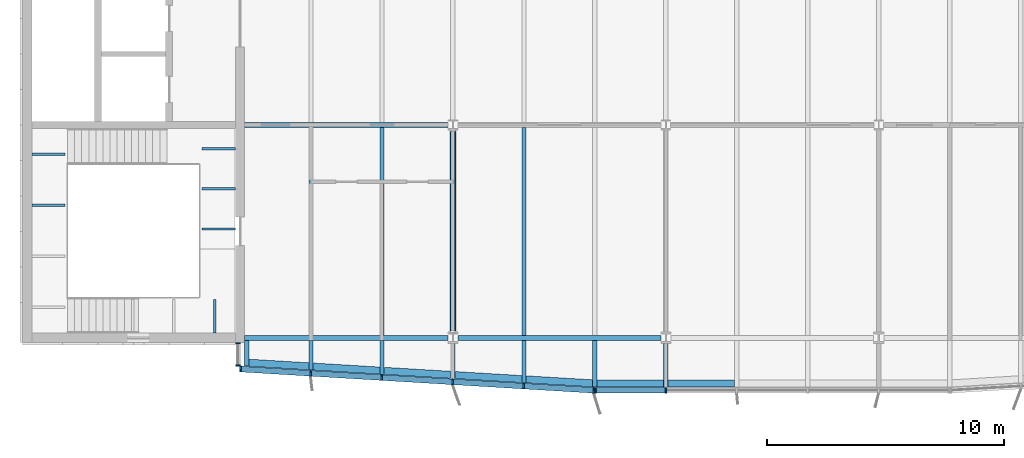
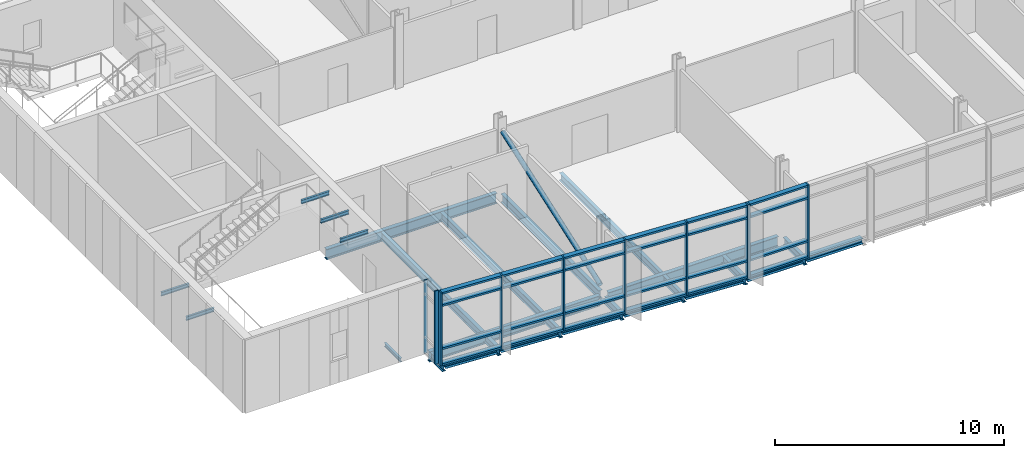
# One storey, part 2 of 17: 35 members, 27 beams, 3 elements without a shape of their own.
"""IFC4 building model written with IfcOpenShell, lengths in metres."""

import ifcopenshell
import ifcopenshell.guid

model = None  # the IFC model being written
_history = None  # IfcOwnerHistory: only IFC2X3 demands one
_inside = {}  # id of a spatial element -> (the spatial element, [elements in it])
_under = {}  # id of a project, library or spatial element -> (it, [spatial elements below it])
_declared = {}  # id of a project -> (the project, [libraries it declares])
_typed = {}  # id of a type object -> (the type object, [elements of that type])
_made_of = {}  # id of a material, layer set ... -> (it, [elements and type objects made of it])


def new_model(schema):
    """Start an empty IFC model of exactly this schema.

    Asked for "IFC4X3", IfcOpenShell would pick the latest addendum, in which some entities
    have other attributes; the version numbers below select the first issue.
    IFC2X3 requires an IfcOwnerHistory on every rooted entity: one is made here for all.
    """
    global model, _history
    if schema == "IFC4X3":
        model = ifcopenshell.file(schema_version=(4, 3, 0, 0))
    else:
        model = ifcopenshell.file(schema=schema)
    _inside.clear()
    _under.clear()
    _declared.clear()
    _typed.clear()
    _made_of.clear()
    _history = None
    if model.schema == "IFC2X3":
        org = make("IfcOrganization", Name="unknown")
        user = make(
            "IfcPersonAndOrganization",
            ThePerson=make("IfcPerson", FamilyName="unknown"),
            TheOrganization=org,
        )
        app = make(
            "IfcApplication",
            ApplicationDeveloper=org,
            Version="unknown",
            ApplicationFullName="unknown",
            ApplicationIdentifier="unknown",
        )
        _history = make(
            "IfcOwnerHistory",
            OwningUser=user,
            OwningApplication=app,
            ChangeAction="ADDED",
            CreationDate=0,
        )
    return model


def make(cls, **values):
    """One entity of the class cls with the attributes given. An attribute that is None is left unset."""
    return model.create_entity(
        cls, **{name: value for name, value in values.items() if value is not None}
    )


def rooted(cls, **values):
    """An entity with a GlobalId (a new one), such as an element, a storey or a relation."""
    return make(cls, GlobalId=ifcopenshell.guid.new(), OwnerHistory=_history, **values)


def si_unit(unit_type, name, prefix=None):
    """IfcSIUnit, for example si_unit("LENGTHUNIT", "METRE", prefix="MILLI")."""
    return make("IfcSIUnit", UnitType=unit_type, Prefix=prefix, Name=name)


def assignment(units):
    """IfcUnitAssignment: the units of a project."""
    return None if units is None else make("IfcUnitAssignment", Units=units)


def point(xyz):
    """IfcCartesianPoint."""
    return None if xyz is None else make("IfcCartesianPoint", Coordinates=xyz)


def direction(xyz):
    """IfcDirection."""
    return None if xyz is None else make("IfcDirection", DirectionRatios=xyz)


def frame(location, z_axis=None, x_axis=None):
    """IfcAxis2Placement3D, a coordinate frame: its origin and axes. An axis left out is left unset."""
    return make(
        "IfcAxis2Placement3D",
        Location=point(location),
        Axis=direction(z_axis),
        RefDirection=direction(x_axis),
    )


def frame_2d(location, x_axis=None):
    """IfcAxis2Placement2D, a coordinate frame in the plane: its origin and x axis."""
    return make(
        "IfcAxis2Placement2D", Location=point(location), RefDirection=direction(x_axis)
    )


def origin():
    """The frame at (0, 0, 0) with its axes left unset."""
    return frame((0.0, 0.0, 0.0))


def origin_2d():
    """The frame at (0, 0) in the plane with its x axis left unset."""
    return frame_2d((0.0, 0.0))


def place(relative_to, where):
    """IfcLocalPlacement: puts the frame where relative to a parent placement (None: the world)."""
    return make(
        "IfcLocalPlacement", PlacementRelTo=relative_to, RelativePlacement=where
    )


def context(
    kind, dimensions, precision=None, world=None, true_north=None, identifier=None
):
    """IfcGeometricRepresentationContext, for example the 3D "Model" context."""
    return make(
        "IfcGeometricRepresentationContext",
        ContextIdentifier=identifier,
        ContextType=kind,
        CoordinateSpaceDimension=dimensions,
        Precision=precision,
        WorldCoordinateSystem=world,
        TrueNorth=true_north,
    )


def subcontext(parent, identifier, kind, view, scale=None):
    """IfcGeometricRepresentationSubContext, for example "Body" below "Model"."""
    return make(
        "IfcGeometricRepresentationSubContext",
        ContextIdentifier=identifier,
        ContextType=kind,
        ParentContext=parent,
        TargetScale=scale,
        TargetView=view,
    )


def project(units=None, contexts=None):
    """IfcProject with its units and contexts."""
    return rooted(
        "IfcProject",
        Name="project",
        RepresentationContexts=contexts,
        UnitsInContext=assignment(units),
    )


def spatial(cls, under=None, at=None, **own):
    """A site, building, storey or space (cls), placed at a placement, below another one or the project."""
    s = rooted(cls, ObjectPlacement=at, **own)
    if under is not None:
        _under.setdefault(under.id(), (under, []))[1].append(s)
    return s


def profile(cls, at=None, kind="AREA", **sizes):
    """A parametric profile (cls). Its sizes go by their IFC names, for example OverallWidth=200.0."""
    return make(cls, ProfileType=kind, Position=at, **sizes)


def rectangle(**sizes):
    """IfcRectangleProfileDef."""
    return profile("IfcRectangleProfileDef", **sizes)


def hollow_circle(**sizes):
    """IfcCircleHollowProfileDef."""
    return profile("IfcCircleHollowProfileDef", **sizes)


def i_section(**sizes):
    """IfcIShapeProfileDef."""
    return profile("IfcIShapeProfileDef", **sizes)


def extrude(swept, where, along, depth):
    """IfcExtrudedAreaSolid: the profile swept, set in the frame where, extruded along a direction by depth."""
    return make(
        "IfcExtrudedAreaSolid",
        SweptArea=swept,
        Position=where,
        ExtrudedDirection=direction(along),
        Depth=depth,
    )


def shape(context_of_items, identifier, shape_type, items):
    """IfcShapeRepresentation: the items that make up one representation, for example the "Body"."""
    return make(
        "IfcShapeRepresentation",
        ContextOfItems=context_of_items,
        RepresentationIdentifier=identifier,
        RepresentationType=shape_type,
        Items=items,
    )


def material(Name=None, Category=None):
    """IfcMaterial."""
    return make("IfcMaterial", Name=Name, Category=Category)


def material_profile(
    of_material, cross_section, Name=None, Category=None, Priority=None
):
    """IfcMaterialProfile: a cross section and its material."""
    return make(
        "IfcMaterialProfile",
        Name=Name,
        Material=of_material,
        Profile=cross_section,
        Priority=Priority,
        Category=Category,
    )


def profile_set(profiles, Name=None, composite=None):
    """IfcMaterialProfileSet."""
    return make(
        "IfcMaterialProfileSet",
        Name=Name,
        MaterialProfiles=profiles,
        CompositeProfile=composite,
    )


def made_of(thing, what):
    """Note that an element or type object is made of a material, layer set ...; save() writes the relation."""
    if what is not None:
        _made_of.setdefault(what.id(), (what, []))[1].append(thing)
    return thing


def type_object(cls, material=None, **own):
    """A type object (cls), such as IfcWallType, which elements share."""
    return made_of(rooted(cls, **own), material)


def element(
    cls,
    number,
    at=None,
    inside=None,
    cuts=None,
    type_object=None,
    material=None,
    context=None,
    identifier="Body",
    shape_type=None,
    held_by="IfcProductDefinitionShape",
    body=None,
    shapes=None,
    **own,
):
    """One element of the class cls, such as IfcWall. Its Tag is "e" and its number.

    at: its placement. inside: the storey or other place that contains it. cuts: it is an
    opening in that element (IfcRelVoidsElement). A single representation is given by context,
    identifier, shape_type and body (its items); several are given by shapes. held_by: the class
    of the entity that holds the representations. save() writes the other relations.
    """
    e = rooted(cls, Tag="e%d" % number, ObjectPlacement=at, **own)
    if body is not None:
        shapes = [shape(context, identifier, shape_type, body)]
    if shapes is not None:
        e.Representation = make(held_by, Representations=shapes)
    if inside is not None:
        _inside.setdefault(inside.id(), (inside, []))[1].append(e)
    if cuts is not None:
        rooted(
            "IfcRelVoidsElement", RelatingBuildingElement=cuts, RelatedOpeningElement=e
        )
    if type_object is not None:
        _typed.setdefault(type_object.id(), (type_object, []))[1].append(e)
    return made_of(e, material)


def aggregate(whole, parts):
    """IfcRelAggregates: a whole, such as a stair, and the parts it consists of."""
    return rooted("IfcRelAggregates", RelatingObject=whole, RelatedObjects=parts)


def save(model, path):
    """Write the relations noted so far, then the file.

    IfcRelAggregates (storeys below a building ...), IfcRelContainedInSpatialStructure (elements
    in a storey), IfcRelDefinesByType, IfcRelAssociatesMaterial and IfcRelDeclares: one each for
    every whole, place, type object, material and project.
    """
    for whole, parts in _under.values():
        aggregate(whole, parts)
    for where, things in _inside.values():
        rooted(
            "IfcRelContainedInSpatialStructure",
            RelatedElements=things,
            RelatingStructure=where,
        )
    for kind, things in _typed.values():
        rooted("IfcRelDefinesByType", RelatedObjects=things, RelatingType=kind)
    for what, things in _made_of.values():
        rooted("IfcRelAssociatesMaterial", RelatedObjects=things, RelatingMaterial=what)
    for by, libraries in _declared.values():
        rooted("IfcRelDeclares", RelatingContext=by, RelatedDefinitions=libraries)
    model.write(path)


model = new_model("IFC4")

# Units and contexts
model_context = context("Model", 3, precision=1e-05, world=origin(), true_north=direction((0.0, 1.0)))
body_context = subcontext(model_context, "Body", "Model", "MODEL_VIEW")
ifc_project = project(units=[si_unit("LENGTHUNIT", "METRE"), si_unit("AREAUNIT", "SQUARE_METRE"), si_unit("VOLUMEUNIT", "CUBIC_METRE"), si_unit("PLANEANGLEUNIT", "RADIAN"), si_unit("MASSUNIT", "GRAM", prefix="KILO")], contexts=[model_context])

# Site, building, storey
site_placement = place(None, origin())
site = spatial("IfcSite", under=ifc_project, at=site_placement, CompositionType="ELEMENT")
building_placement = place(site_placement, origin())
building = spatial("IfcBuilding", under=site, at=building_placement, Name="Azimuth Sports and Learning Centre", CompositionType="ELEMENT")
storey_placement = place(building_placement, frame((0.0, 0.0, 40.199951171875)))
storey = spatial("IfcBuildingStorey", under=building, at=storey_placement, Name="L08", CompositionType="ELEMENT", Elevation=40.199951171875)

# Beams
ifc_material_1 = material(Name="Steel S355", Category="steel")
ifc_material_profile_1 = material_profile(ifc_material_1, i_section(OverallWidth=0.10009765625, OverallDepth=0.199951171875, WebThickness=0.005615234375, FlangeThickness=0.008544921875, FilletRadius=0.011962890625, at=origin_2d()), Name="IPE 200")
ifc_profile_set_1 = profile_set([ifc_material_profile_1], Name="Steel S355")
beam_type_1 = type_object("IfcBeamType", Name="Beam IPE 200", PredefinedType="BEAM", material=ifc_profile_set_1)
for number, where, z_axis, x_axis, name in (
    (1, (61.9267578125, 90.199951171875, -0.300048828125), (0.0, 1.0, 0.0), (-1.0, 0.0, 0.0), "Landing bracket W1 L08 81"),
    (2, (54.199951171875, 95.603759765625, 1.35009765625), (1.0, 0.0, 0.0), (0.0, 1.0, 0.0), "Landing bracket W1 L08 84"),
    (3, (54.199951171875, 97.76123046875, 1.35009765625), (1.0, 0.0, 0.0), (0.0, 1.0, 0.0), "Landing bracket W1 L08 85"),
    (4, (62.800048828125, 94.598388671875, 3.60009765625), (-1.0, 0.0, 0.0), (0.0, -1.0, 0.0), "Landing bracket W1 L08 86"),
    (5, (62.800048828125, 96.294921875, 3.60009765625), (-1.0, 0.0, 0.0), (0.0, -1.0, 0.0), "Landing bracket W1 L08 87"),
    (6, (62.800048828125, 97.99169921875, 3.60009765625), (-1.0, 0.0, 0.0), (0.0, -1.0, 0.0), "Landing bracket W1 L08 88"),
):
    element("IfcBeam", number, at=place(storey_placement, frame(where, z_axis=z_axis, x_axis=x_axis)), inside=storey, type_object=beam_type_1, Name=name, PredefinedType="BEAM", context=body_context, shape_type="SweptSolid", body=[
        extrude(i_section(OverallWidth=0.10009765625, OverallDepth=0.199951171875, WebThickness=0.005615234375, FlangeThickness=0.008544921875, FilletRadius=0.011962890625, at=origin_2d()), origin(), (0.0, 0.0, 1.0), 1.41015625),
    ])
ifc_material_2 = material(Name="Steel S355", Category="steel")
ifc_material_profile_2 = material_profile(ifc_material_2, i_section(OverallWidth=0.18994140625, OverallDepth=0.449951171875, WebThickness=0.009521484375, FlangeThickness=0.0146484375, FilletRadius=0.02099609375, at=origin_2d()), Name="IPE 450")
ifc_profile_set_2 = profile_set([ifc_material_profile_2], Name="Steel S355")
beam_type_2 = type_object("IfcBeamType", Name="Beam IPE 450", PredefinedType="BEAM", material=ifc_profile_set_2)
beam_1_placement = place(storey_placement, frame((72.0, 90.237060546875, -0.35498046875), z_axis=(0.0, 1.0, 0.0), x_axis=(-1.0, 0.0, 0.0)))
element("IfcBeam", 7, at=beam_1_placement, inside=storey, type_object=beam_type_2, Name="Tower tie", PredefinedType="BEAM", context=body_context, shape_type="SweptSolid", body=[
    extrude(i_section(OverallWidth=0.18994140625, OverallDepth=0.449951171875, WebThickness=0.009521484375, FlangeThickness=0.0146484375, FilletRadius=0.02099609375, at=origin_2d()), origin(), (0.0, 0.0, 1.0), 8.54541015625),
])
ifc_material_3 = material(Name="Steel S355", Category="steel")
ifc_material_profile_3 = material_profile(ifc_material_3, i_section(OverallWidth=0.2099609375, OverallDepth=0.550048828125, WebThickness=0.010986328125, FlangeThickness=0.01708984375, FilletRadius=0.02392578125, at=origin_2d()), Name="IPE 550")
ifc_profile_set_3 = profile_set([ifc_material_profile_3], Name="Steel S355")
beam_type_3 = type_object("IfcBeamType", Name="Beam IPE 550", PredefinedType="BEAM", material=ifc_profile_set_3)
beam_2_placement = place(storey_placement, frame((63.199951171875, 90.0, -0.405029296875), z_axis=(1.0, 0.0, 0.0), x_axis=(0.0, 1.0, 0.0)))
element("IfcBeam", 8, at=beam_2_placement, inside=storey, type_object=beam_type_3, Name="Tower girder L08", PredefinedType="BEAM", context=body_context, shape_type="SweptSolid", body=[
    extrude(i_section(OverallWidth=0.2099609375, OverallDepth=0.550048828125, WebThickness=0.010986328125, FlangeThickness=0.01708984375, FilletRadius=0.02392578125, at=origin_2d()), origin(), (0.0, 0.0, 1.0), 8.588134765625),
])
beam_3_placement = place(storey_placement, frame((72.2119140625, 90.0, -0.405029296875), z_axis=(1.0, 0.0, 0.0), x_axis=(0.0, 1.0, 0.0)))
element("IfcBeam", 9, at=beam_3_placement, inside=storey, type_object=beam_type_3, Name="Tower girder L08", PredefinedType="BEAM", context=body_context, shape_type="SweptSolid", body=[
    extrude(i_section(OverallWidth=0.2099609375, OverallDepth=0.550048828125, WebThickness=0.010986328125, FlangeThickness=0.01708984375, FilletRadius=0.02392578125, at=origin_2d()), origin(), (0.0, 0.0, 1.0), 8.576171875),
])
beam_4_placement = place(storey_placement, frame((63.199951171875, 99.0, -0.405029296875), z_axis=(1.0, 0.0, 0.0), x_axis=(0.0, 1.0, 0.0)))
element("IfcBeam", 10, at=beam_4_placement, inside=storey, type_object=beam_type_3, Name="Tower girder L08", PredefinedType="BEAM", context=body_context, shape_type="SweptSolid", body=[
    extrude(i_section(OverallWidth=0.2099609375, OverallDepth=0.550048828125, WebThickness=0.010986328125, FlangeThickness=0.01708984375, FilletRadius=0.02392578125, at=origin_2d()), origin(), (0.0, 0.0, 1.0), 8.593994140625),
])

# Member
ifc_material_4 = material(Name="Steel S355", Category="steel")
ifc_material_profile_4 = material_profile(ifc_material_4, hollow_circle(Radius=0.122314453125, WallThickness=0.012451171875, at=origin_2d()), Name="CHS 244.5x12.5")
ifc_profile_set_4 = profile_set([ifc_material_profile_4], Name="Steel S355")
member_type_1 = type_object("IfcMemberType", Name="Brace CHS 244.5x12.5", PredefinedType="BRACE", material=ifc_profile_set_4)
member_1_placement = place(storey_placement, frame((72.0, 90.25732421875, 0.16943359375), z_axis=(0.0, 0.943699867633, 0.330802901785), x_axis=(-1.0, 0.0, 0.0)))
element("IfcMember", 11, at=member_1_placement, inside=storey, type_object=member_type_1, Name="Tower brace 9 L08", PredefinedType="BRACE", context=body_context, shape_type="SweptSolid", body=[
    extrude(hollow_circle(Radius=0.122314453125, WallThickness=0.012451171875, at=origin_2d()), origin(), (0.0, 0.0, 1.0), 9.011962890625),
])

# Beams
ifc_material_5 = material(Name="Steel S355", Category="steel")
ifc_material_profile_5 = material_profile(ifc_material_5, i_section(OverallWidth=0.179931640625, OverallDepth=0.39990234375, WebThickness=0.008544921875, FlangeThickness=0.013427734375, FilletRadius=0.02099609375, at=origin_2d()), Name="IPE 400")
ifc_profile_set_5 = profile_set([ifc_material_profile_5], Name="Steel S355")
beam_type_4 = type_object("IfcBeamType", Name="Cantilever stub IPE 400", PredefinedType="JOIST", material=ifc_profile_set_5)
beam_5_placement = place(storey_placement, frame((63.2900390625, 89.89501953125, -0.329833984375), z_axis=(0.0, -1.0, 0.0), x_axis=(1.0, 0.0, 0.0)))
element("IfcBeam", 12, at=beam_5_placement, inside=storey, type_object=beam_type_4, Name="Tower cantilever stub", PredefinedType="JOIST", context=body_context, shape_type="SweptSolid", body=[
    extrude(i_section(OverallWidth=0.179931640625, OverallDepth=0.39990234375, WebThickness=0.008544921875, FlangeThickness=0.013427734375, FilletRadius=0.02099609375, at=origin_2d()), origin(), (0.0, 0.0, 1.0), 1.092529296875),
])
beam_6_placement = place(storey_placement, frame((66.0, 89.89501953125, -0.329833984375), z_axis=(0.0, -1.0, 0.0), x_axis=(1.0, 0.0, 0.0)))
element("IfcBeam", 13, at=beam_6_placement, inside=storey, type_object=beam_type_4, Name="Tower cantilever stub", PredefinedType="JOIST", context=body_context, shape_type="SweptSolid", body=[
    extrude(i_section(OverallWidth=0.179931640625, OverallDepth=0.39990234375, WebThickness=0.008544921875, FlangeThickness=0.013427734375, FilletRadius=0.02099609375, at=origin_2d()), origin(), (0.0, 0.0, 1.0), 1.255126953125),
])
beam_7_placement = place(storey_placement, frame((69.0, 89.89501953125, -0.329833984375), z_axis=(0.0, -1.0, 0.0), x_axis=(1.0, 0.0, 0.0)))
element("IfcBeam", 14, at=beam_7_placement, inside=storey, type_object=beam_type_4, Name="Tower cantilever stub", PredefinedType="JOIST", context=body_context, shape_type="SweptSolid", body=[
    extrude(i_section(OverallWidth=0.179931640625, OverallDepth=0.39990234375, WebThickness=0.008544921875, FlangeThickness=0.013427734375, FilletRadius=0.02099609375, at=origin_2d()), origin(), (0.0, 0.0, 1.0), 1.43505859375),
])
beam_8_placement = place(storey_placement, frame((72.0, 89.762939453125, -0.329833984375), z_axis=(0.0, -1.0, 0.0), x_axis=(1.0, 0.0, 0.0)))
element("IfcBeam", 15, at=beam_8_placement, inside=storey, type_object=beam_type_4, Name="Tower cantilever stub", PredefinedType="JOIST", context=body_context, shape_type="SweptSolid", body=[
    extrude(i_section(OverallWidth=0.179931640625, OverallDepth=0.39990234375, WebThickness=0.008544921875, FlangeThickness=0.013427734375, FilletRadius=0.02099609375, at=origin_2d()), origin(), (0.0, 0.0, 1.0), 1.48291015625),
])
beam_9_placement = place(storey_placement, frame((75.0, 89.89501953125, -0.329833984375), z_axis=(0.0, -1.0, 0.0), x_axis=(1.0, 0.0, 0.0)))
element("IfcBeam", 16, at=beam_9_placement, inside=storey, type_object=beam_type_4, Name="Tower cantilever stub", PredefinedType="JOIST", context=body_context, shape_type="SweptSolid", body=[
    extrude(i_section(OverallWidth=0.179931640625, OverallDepth=0.39990234375, WebThickness=0.008544921875, FlangeThickness=0.013427734375, FilletRadius=0.02099609375, at=origin_2d()), origin(), (0.0, 0.0, 1.0), 1.794921875),
])
beam_10_placement = place(storey_placement, frame((78.0, 89.89501953125, -0.329833984375), z_axis=(0.0, -1.0, 0.0), x_axis=(1.0, 0.0, 0.0)))
element("IfcBeam", 17, at=beam_10_placement, inside=storey, type_object=beam_type_4, Name="Tower cantilever stub", PredefinedType="JOIST", context=body_context, shape_type="SweptSolid", body=[
    extrude(i_section(OverallWidth=0.179931640625, OverallDepth=0.39990234375, WebThickness=0.008544921875, FlangeThickness=0.013427734375, FilletRadius=0.02099609375, at=origin_2d()), origin(), (0.0, 0.0, 1.0), 1.97509765625),
])
beam_11_placement = place(storey_placement, frame((81.0, 89.762939453125, -0.329833984375), z_axis=(0.0, -1.0, 0.0), x_axis=(1.0, 0.0, 0.0)))
element("IfcBeam", 18, at=beam_11_placement, inside=storey, type_object=beam_type_4, Name="Tower cantilever stub", PredefinedType="JOIST", context=body_context, shape_type="SweptSolid", body=[
    extrude(i_section(OverallWidth=0.179931640625, OverallDepth=0.39990234375, WebThickness=0.008544921875, FlangeThickness=0.013427734375, FilletRadius=0.02099609375, at=origin_2d()), origin(), (0.0, 0.0, 1.0), 1.843017578125),
])
ifc_material_6 = material(Name="Steel S355", Category="steel")
ifc_material_profile_6 = material_profile(ifc_material_6, i_section(OverallWidth=0.300048828125, OverallDepth=0.2900390625, WebThickness=0.008544921875, FlangeThickness=0.013916015625, FilletRadius=0.027099609375, at=origin_2d()), Name="HEA 300")
ifc_profile_set_6 = profile_set([ifc_material_profile_6], Name="Steel S355")
beam_type_5 = type_object("IfcBeamType", Name="Edge beam HEA 300", PredefinedType="SPANDREL", material=ifc_profile_set_6)
beam_12_placement = place(storey_placement, frame((63.3798828125, 88.947265625, -0.27490234375), z_axis=(0.998203578329, -0.059913405937, 0.0), x_axis=(0.059913405937, 0.998203578329, 0.0)))
element("IfcBeam", 19, at=beam_12_placement, inside=storey, type_object=beam_type_5, Name="Tower edge beam", PredefinedType="SPANDREL", context=body_context, shape_type="SweptSolid", body=[
    extrude(i_section(OverallWidth=0.300048828125, OverallDepth=0.2900390625, WebThickness=0.008544921875, FlangeThickness=0.013916015625, FilletRadius=0.027099609375, at=origin_2d()), origin(), (0.0, 0.0, 1.0), 2.53466796875),
])
for number, where, z_axis, x_axis, name in (
    (20, (66.090087890625, 88.78466796875, -0.27490234375), (0.998204845466, -0.059892290728, 0.0), (0.059892290728, 0.998204845466, 0.0), "Tower edge beam"),
    (21, (69.090087890625, 88.6044921875, -0.27490234375), (0.998204845466, -0.059892290728, 0.0), (0.059892290728, 0.998204845466, 0.0), "Tower edge beam"),
    (22, (72.090087890625, 88.424560546875, -0.27490234375), (0.998204845466, -0.059892290728, 0.0), (0.059892290728, 0.998204845466, 0.0), "Tower edge beam"),
    (23, (75.090087890625, 88.24462890625, -0.27490234375), (0.998204845466, -0.059892290728, 0.0), (0.059892290728, 0.998204845466, 0.0), "Tower edge beam"),
):
    element("IfcBeam", number, at=place(storey_placement, frame(where, z_axis=z_axis, x_axis=x_axis)), inside=storey, type_object=beam_type_5, Name=name, PredefinedType="SPANDREL", context=body_context, shape_type="SweptSolid", body=[
        extrude(i_section(OverallWidth=0.300048828125, OverallDepth=0.2900390625, WebThickness=0.008544921875, FlangeThickness=0.013916015625, FilletRadius=0.027099609375, at=origin_2d()), origin(), (0.0, 0.0, 1.0), 2.824951171875),
    ])
for number, where, z_axis, x_axis, name in (
    (24, (78.090087890625, 88.070068359375, -0.27490234375), (1.0, 0.0, 0.0), (0.0, 1.0, 0.0), "Tower edge beam"),
    (25, (81.090087890625, 88.070068359375, -0.27490234375), (1.0, 0.0, 0.0), (0.0, 1.0, 0.0), "Tower edge beam"),
):
    element("IfcBeam", number, at=place(storey_placement, frame(where, z_axis=z_axis, x_axis=x_axis)), inside=storey, type_object=beam_type_5, Name=name, PredefinedType="SPANDREL", context=body_context, shape_type="SweptSolid", body=[
        extrude(i_section(OverallWidth=0.300048828125, OverallDepth=0.2900390625, WebThickness=0.008544921875, FlangeThickness=0.013916015625, FilletRadius=0.027099609375, at=origin_2d()), origin(), (0.0, 0.0, 1.0), 2.81982421875),
    ])
ifc_material_7 = material(Name="Steel S355", Category="steel")
ifc_material_profile_7 = material_profile(ifc_material_7, i_section(OverallWidth=0.179931640625, OverallDepth=0.39990234375, WebThickness=0.008544921875, FlangeThickness=0.013427734375, FilletRadius=0.02099609375, at=origin_2d()), Name="IPE 400")
ifc_profile_set_7 = profile_set([ifc_material_profile_7], Name="Steel S355")
beam_type_6 = type_object("IfcBeamType", Name="Joist IPE 400", PredefinedType="JOIST", material=ifc_profile_set_7)
for number, where, z_axis, x_axis, name in (
    (26, (66.0, 90.10498046875, -0.329833984375), (0.0, 1.0, 0.0), (-1.0, 0.0, 0.0), "Tower joist"),
    (27, (69.0, 90.10498046875, -0.329833984375), (0.0, 1.0, 0.0), (-1.0, 0.0, 0.0), "Tower joist"),
    (28, (75.0, 90.10498046875, -0.329833984375), (0.0, 1.0, 0.0), (-1.0, 0.0, 0.0), "Tower joist"),
):
    element("IfcBeam", number, at=place(storey_placement, frame(where, z_axis=z_axis, x_axis=x_axis)), inside=storey, type_object=beam_type_6, Name=name, PredefinedType="JOIST", context=body_context, shape_type="SweptSolid", body=[
        extrude(i_section(OverallWidth=0.179931640625, OverallDepth=0.39990234375, WebThickness=0.008544921875, FlangeThickness=0.013427734375, FilletRadius=0.02099609375, at=origin_2d()), origin(), (0.0, 0.0, 1.0), 8.7900390625),
    ])

# Curtain wall, members
ifc_material_8 = material(Name="Aluminium and glass", Category="aluminium")
curtain_wall_type_1 = type_object("IfcCurtainWallType", Name="Curtain wall tower return 180", PredefinedType="NOTDEFINED", material=ifc_material_8)
curtain_wall_1_placement = place(storey_placement, origin())
curtain_wall_1 = element("IfcCurtainWall", 29, at=curtain_wall_1_placement, inside=storey, type_object=curtain_wall_type_1, Name="Curtain wall CW08-001", PredefinedType="NOTDEFINED")
ifc_material_9 = material(Name="Aluminium", Category="aluminium")
ifc_material_profile_8 = material_profile(ifc_material_9, rectangle(XDim=0.179931640625, YDim=0.06005859375, at=origin_2d()), Name="Mullion 60x180")
ifc_profile_set_8 = profile_set([ifc_material_profile_8], Name="Aluminium")
member_type_2 = type_object("IfcMemberType", Name="Mullion 60x180", PredefinedType="MULLION", material=ifc_profile_set_8)
member_2_placement = place(storey_placement, frame((62.909912109375, 89.77001953125, 0.0), z_axis=(0.0, 0.0, 1.0), x_axis=(1.0, 0.0, 0.0)))
member_2 = element("IfcMember", 30, at=member_2_placement, type_object=member_type_2, Name="CW08-001 mullion 1", PredefinedType="MULLION", context=body_context, shape_type="SweptSolid", body=[
    extrude(rectangle(XDim=0.179931640625, YDim=0.06005859375, at=origin_2d()), origin(), (0.0, 0.0, 1.0), 3.900146484375),
])
member_3_placement = place(storey_placement, frame((62.909912109375, 88.830078125, 0.0), z_axis=(0.0, 0.0, 1.0), x_axis=(1.0, 0.0, 0.0)))
member_3 = element("IfcMember", 31, at=member_3_placement, type_object=member_type_2, Name="CW08-001 mullion 2", PredefinedType="MULLION", context=body_context, shape_type="SweptSolid", body=[
    extrude(rectangle(XDim=0.179931640625, YDim=0.06005859375, at=origin_2d()), origin(), (0.0, 0.0, 1.0), 3.900146484375),
])
aggregate(curtain_wall_1, [member_2, member_3])

ifc_material_10 = material(Name="Aluminium and glass", Category="aluminium")
curtain_wall_type_2 = type_object("IfcCurtainWallType", Name="Curtain wall tower south 240", PredefinedType="NOTDEFINED", material=ifc_material_10)
curtain_wall_2_placement = place(storey_placement, origin())
curtain_wall_2 = element("IfcCurtainWall", 32, at=curtain_wall_2_placement, inside=storey, type_object=curtain_wall_type_2, Name="Curtain wall CW08-002", PredefinedType="NOTDEFINED")
ifc_material_11 = material(Name="Aluminium", Category="aluminium")
ifc_material_profile_9 = material_profile(ifc_material_11, rectangle(XDim=0.239990234375, YDim=0.070068359375, at=origin_2d()), Name="Mullion 70x240")
ifc_profile_set_9 = profile_set([ifc_material_profile_9], Name="Aluminium")
member_type_3 = type_object("IfcMemberType", Name="Mullion 70x240", PredefinedType="MULLION", material=ifc_profile_set_9)
member_4_placement = place(storey_placement, frame((63.02783203125, 88.67822265625, 0.0), z_axis=(0.0, 0.0, 1.0), x_axis=(0.059891991812, 0.998204863401, 0.0)))
member_4 = element("IfcMember", 33, at=member_4_placement, type_object=member_type_3, Name="CW08-002 mullion 1", PredefinedType="MULLION", context=body_context, shape_type="SweptSolid", body=[
    extrude(rectangle(XDim=0.239990234375, YDim=0.070068359375, at=origin_2d()), origin(), (0.0, 0.0, 1.0), 3.900146484375),
])
member_5_placement = place(storey_placement, frame((65.992919921875, 88.500244140625, 0.0), z_axis=(0.0, 0.0, 1.0), x_axis=(0.059891991812, 0.998204863401, 0.0)))
member_5 = element("IfcMember", 34, at=member_5_placement, type_object=member_type_3, Name="CW08-002 mullion 2", PredefinedType="MULLION", context=body_context, shape_type="SweptSolid", body=[
    extrude(rectangle(XDim=0.239990234375, YDim=0.070068359375, at=origin_2d()), origin(), (0.0, 0.0, 1.0), 3.900146484375),
])
member_6_placement = place(storey_placement, frame((68.992919921875, 88.3203125, 0.0), z_axis=(0.0, 0.0, 1.0), x_axis=(0.059891991812, 0.998204863401, 0.0)))
member_6 = element("IfcMember", 35, at=member_6_placement, type_object=member_type_3, Name="CW08-002 mullion 3", PredefinedType="MULLION", context=body_context, shape_type="SweptSolid", body=[
    extrude(rectangle(XDim=0.239990234375, YDim=0.070068359375, at=origin_2d()), origin(), (0.0, 0.0, 1.0), 3.900146484375),
])
member_7_placement = place(storey_placement, frame((71.992919921875, 88.14013671875, 0.0), z_axis=(0.0, 0.0, 1.0), x_axis=(0.059891991812, 0.998204863401, 0.0)))
member_7 = element("IfcMember", 36, at=member_7_placement, type_object=member_type_3, Name="CW08-002 mullion 4", PredefinedType="MULLION", context=body_context, shape_type="SweptSolid", body=[
    extrude(rectangle(XDim=0.239990234375, YDim=0.070068359375, at=origin_2d()), origin(), (0.0, 0.0, 1.0), 3.900146484375),
])
member_8_placement = place(storey_placement, frame((74.992919921875, 87.960205078125, 0.0), z_axis=(0.0, 0.0, 1.0), x_axis=(0.059891991812, 0.998204863401, 0.0)))
member_8 = element("IfcMember", 37, at=member_8_placement, type_object=member_type_3, Name="CW08-002 mullion 5", PredefinedType="MULLION", context=body_context, shape_type="SweptSolid", body=[
    extrude(rectangle(XDim=0.239990234375, YDim=0.070068359375, at=origin_2d()), origin(), (0.0, 0.0, 1.0), 3.900146484375),
])
member_9_placement = place(storey_placement, frame((77.957763671875, 87.7822265625, 0.0), z_axis=(0.0, 0.0, 1.0), x_axis=(0.059891991812, 0.998204863401, 0.0)))
member_9 = element("IfcMember", 38, at=member_9_placement, type_object=member_type_3, Name="CW08-002 mullion 6", PredefinedType="MULLION", context=body_context, shape_type="SweptSolid", body=[
    extrude(rectangle(XDim=0.239990234375, YDim=0.070068359375, at=origin_2d()), origin(), (0.0, 0.0, 1.0), 3.900146484375),
])

curtain_wall_3_placement = place(storey_placement, origin())
curtain_wall_3 = element("IfcCurtainWall", 39, at=curtain_wall_3_placement, inside=storey, type_object=curtain_wall_type_2, Name="Curtain wall CW08-003", PredefinedType="NOTDEFINED")
member_10_placement = place(storey_placement, frame((78.02783203125, 87.780029296875, 0.0), z_axis=(0.0, 0.0, 1.0), x_axis=(0.0, 1.0, 0.0)))
member_10 = element("IfcMember", 40, at=member_10_placement, type_object=member_type_3, Name="CW08-003 mullion 1", PredefinedType="MULLION", context=body_context, shape_type="SweptSolid", body=[
    extrude(rectangle(XDim=0.239990234375, YDim=0.070068359375, at=origin_2d()), origin(), (0.0, 0.0, 1.0), 3.900146484375),
])
member_11_placement = place(storey_placement, frame((81.0, 87.780029296875, 0.0), z_axis=(0.0, 0.0, 1.0), x_axis=(0.0, 1.0, 0.0)))
member_11 = element("IfcMember", 41, at=member_11_placement, type_object=member_type_3, Name="CW08-003 mullion 2", PredefinedType="MULLION", context=body_context, shape_type="SweptSolid", body=[
    extrude(rectangle(XDim=0.239990234375, YDim=0.070068359375, at=origin_2d()), origin(), (0.0, 0.0, 1.0), 3.900146484375),
])

# Member
ifc_material_12 = material(Name="Aluminium", Category="aluminium")
ifc_material_profile_10 = material_profile(ifc_material_12, rectangle(XDim=0.239990234375, YDim=0.10009765625, at=origin_2d()), Name="Transom 100x240")
ifc_profile_set_10 = profile_set([ifc_material_profile_10], Name="Aluminium")
member_type_4 = type_object("IfcMemberType", Name="Transom 100x240", PredefinedType="USERDEFINED", material=ifc_profile_set_10)
member_12_placement = place(storey_placement, frame((63.062744140625, 88.676025390625, 0.050048828125), z_axis=(0.998202227529, -0.059935907067, 0.0), x_axis=(0.059935907067, 0.998202227529, 0.0)))
member_12 = element("IfcMember", 42, at=member_12_placement, type_object=member_type_4, Name="CW08-002 transom 1.1", ObjectType="TRANSOM", PredefinedType="USERDEFINED", context=body_context, shape_type="SweptSolid", body=[
    extrude(rectangle(XDim=0.239990234375, YDim=0.10009765625, at=origin_2d()), origin(), (0.0, 0.0, 1.0), 2.900146484375),
])

member_13_placement = place(storey_placement, frame((63.062744140625, 88.676025390625, 0.900146484375), z_axis=(0.998202227529, -0.059935907067, 0.0), x_axis=(0.059935907067, 0.998202227529, 0.0)))
member_13 = element("IfcMember", 43, at=member_13_placement, type_object=member_type_4, Name="CW08-002 transom 1.2", ObjectType="TRANSOM", PredefinedType="USERDEFINED", context=body_context, shape_type="SweptSolid", body=[
    extrude(rectangle(XDim=0.239990234375, YDim=0.10009765625, at=origin_2d()), origin(), (0.0, 0.0, 1.0), 2.900146484375),
])

member_14_placement = place(storey_placement, frame((63.062744140625, 88.676025390625, 3.199951171875), z_axis=(0.998202227529, -0.059935907067, 0.0), x_axis=(0.059935907067, 0.998202227529, 0.0)))
member_14 = element("IfcMember", 44, at=member_14_placement, type_object=member_type_4, Name="CW08-002 transom 1.3", ObjectType="TRANSOM", PredefinedType="USERDEFINED", context=body_context, shape_type="SweptSolid", body=[
    extrude(rectangle(XDim=0.239990234375, YDim=0.10009765625, at=origin_2d()), origin(), (0.0, 0.0, 1.0), 2.900146484375),
])

member_15_placement = place(storey_placement, frame((63.062744140625, 88.676025390625, 3.85009765625), z_axis=(0.998202227529, -0.059935907067, 0.0), x_axis=(0.059935907067, 0.998202227529, 0.0)))
member_15 = element("IfcMember", 45, at=member_15_placement, type_object=member_type_4, Name="CW08-002 transom 1.4", ObjectType="TRANSOM", PredefinedType="USERDEFINED", context=body_context, shape_type="SweptSolid", body=[
    extrude(rectangle(XDim=0.239990234375, YDim=0.10009765625, at=origin_2d()), origin(), (0.0, 0.0, 1.0), 2.900146484375),
])

member_16_placement = place(storey_placement, frame((66.02783203125, 88.498046875, 0.050048828125), z_axis=(0.998205143816, -0.059887318019, 0.0), x_axis=(0.059887318019, 0.998205143816, 0.0)))
member_16 = element("IfcMember", 46, at=member_16_placement, type_object=member_type_4, Name="CW08-002 transom 2.1", ObjectType="TRANSOM", PredefinedType="USERDEFINED", context=body_context, shape_type="SweptSolid", body=[
    extrude(rectangle(XDim=0.239990234375, YDim=0.10009765625, at=origin_2d()), origin(), (0.0, 0.0, 1.0), 2.935302734375),
])

member_17_placement = place(storey_placement, frame((66.02783203125, 88.498046875, 0.900146484375), z_axis=(0.998205143816, -0.059887318019, 0.0), x_axis=(0.059887318019, 0.998205143816, 0.0)))
member_17 = element("IfcMember", 47, at=member_17_placement, type_object=member_type_4, Name="CW08-002 transom 2.2", ObjectType="TRANSOM", PredefinedType="USERDEFINED", context=body_context, shape_type="SweptSolid", body=[
    extrude(rectangle(XDim=0.239990234375, YDim=0.10009765625, at=origin_2d()), origin(), (0.0, 0.0, 1.0), 2.935302734375),
])

member_18_placement = place(storey_placement, frame((66.02783203125, 88.498046875, 3.199951171875), z_axis=(0.998205143816, -0.059887318019, 0.0), x_axis=(0.059887318019, 0.998205143816, 0.0)))
member_18 = element("IfcMember", 48, at=member_18_placement, type_object=member_type_4, Name="CW08-002 transom 2.3", ObjectType="TRANSOM", PredefinedType="USERDEFINED", context=body_context, shape_type="SweptSolid", body=[
    extrude(rectangle(XDim=0.239990234375, YDim=0.10009765625, at=origin_2d()), origin(), (0.0, 0.0, 1.0), 2.935302734375),
])

member_19_placement = place(storey_placement, frame((66.02783203125, 88.498046875, 3.85009765625), z_axis=(0.998205143816, -0.059887318019, 0.0), x_axis=(0.059887318019, 0.998205143816, 0.0)))
member_19 = element("IfcMember", 49, at=member_19_placement, type_object=member_type_4, Name="CW08-002 transom 2.4", ObjectType="TRANSOM", PredefinedType="USERDEFINED", context=body_context, shape_type="SweptSolid", body=[
    extrude(rectangle(XDim=0.239990234375, YDim=0.10009765625, at=origin_2d()), origin(), (0.0, 0.0, 1.0), 2.935302734375),
])

member_20_placement = place(storey_placement, frame((69.02783203125, 88.318115234375, 0.050048828125), z_axis=(0.998205143816, -0.059887318019, 0.0), x_axis=(0.059887318019, 0.998205143816, 0.0)))
member_20 = element("IfcMember", 50, at=member_20_placement, type_object=member_type_4, Name="CW08-002 transom 3.1", ObjectType="TRANSOM", PredefinedType="USERDEFINED", context=body_context, shape_type="SweptSolid", body=[
    extrude(rectangle(XDim=0.239990234375, YDim=0.10009765625, at=origin_2d()), origin(), (0.0, 0.0, 1.0), 2.935302734375),
])

member_21_placement = place(storey_placement, frame((69.02783203125, 88.318115234375, 0.900146484375), z_axis=(0.998205143816, -0.059887318019, 0.0), x_axis=(0.059887318019, 0.998205143816, 0.0)))
member_21 = element("IfcMember", 51, at=member_21_placement, type_object=member_type_4, Name="CW08-002 transom 3.2", ObjectType="TRANSOM", PredefinedType="USERDEFINED", context=body_context, shape_type="SweptSolid", body=[
    extrude(rectangle(XDim=0.239990234375, YDim=0.10009765625, at=origin_2d()), origin(), (0.0, 0.0, 1.0), 2.935302734375),
])

member_22_placement = place(storey_placement, frame((69.02783203125, 88.318115234375, 3.199951171875), z_axis=(0.998205143816, -0.059887318019, 0.0), x_axis=(0.059887318019, 0.998205143816, 0.0)))
member_22 = element("IfcMember", 52, at=member_22_placement, type_object=member_type_4, Name="CW08-002 transom 3.3", ObjectType="TRANSOM", PredefinedType="USERDEFINED", context=body_context, shape_type="SweptSolid", body=[
    extrude(rectangle(XDim=0.239990234375, YDim=0.10009765625, at=origin_2d()), origin(), (0.0, 0.0, 1.0), 2.935302734375),
])

member_23_placement = place(storey_placement, frame((69.02783203125, 88.318115234375, 3.85009765625), z_axis=(0.998205143816, -0.059887318019, 0.0), x_axis=(0.059887318019, 0.998205143816, 0.0)))
member_23 = element("IfcMember", 53, at=member_23_placement, type_object=member_type_4, Name="CW08-002 transom 3.4", ObjectType="TRANSOM", PredefinedType="USERDEFINED", context=body_context, shape_type="SweptSolid", body=[
    extrude(rectangle(XDim=0.239990234375, YDim=0.10009765625, at=origin_2d()), origin(), (0.0, 0.0, 1.0), 2.935302734375),
])

member_24_placement = place(storey_placement, frame((72.02783203125, 88.13818359375, 0.050048828125), z_axis=(0.998205143816, -0.059887318019, 0.0), x_axis=(0.059887318019, 0.998205143816, 0.0)))
member_24 = element("IfcMember", 54, at=member_24_placement, type_object=member_type_4, Name="CW08-002 transom 4.1", ObjectType="TRANSOM", PredefinedType="USERDEFINED", context=body_context, shape_type="SweptSolid", body=[
    extrude(rectangle(XDim=0.239990234375, YDim=0.10009765625, at=origin_2d()), origin(), (0.0, 0.0, 1.0), 2.935302734375),
])

member_25_placement = place(storey_placement, frame((72.02783203125, 88.13818359375, 0.900146484375), z_axis=(0.998205143816, -0.059887318019, 0.0), x_axis=(0.059887318019, 0.998205143816, 0.0)))
member_25 = element("IfcMember", 55, at=member_25_placement, type_object=member_type_4, Name="CW08-002 transom 4.2", ObjectType="TRANSOM", PredefinedType="USERDEFINED", context=body_context, shape_type="SweptSolid", body=[
    extrude(rectangle(XDim=0.239990234375, YDim=0.10009765625, at=origin_2d()), origin(), (0.0, 0.0, 1.0), 2.935302734375),
])

member_26_placement = place(storey_placement, frame((72.02783203125, 88.13818359375, 3.199951171875), z_axis=(0.998205143816, -0.059887318019, 0.0), x_axis=(0.059887318019, 0.998205143816, 0.0)))
member_26 = element("IfcMember", 56, at=member_26_placement, type_object=member_type_4, Name="CW08-002 transom 4.3", ObjectType="TRANSOM", PredefinedType="USERDEFINED", context=body_context, shape_type="SweptSolid", body=[
    extrude(rectangle(XDim=0.239990234375, YDim=0.10009765625, at=origin_2d()), origin(), (0.0, 0.0, 1.0), 2.935302734375),
])

member_27_placement = place(storey_placement, frame((72.02783203125, 88.13818359375, 3.85009765625), z_axis=(0.998205143816, -0.059887318019, 0.0), x_axis=(0.059887318019, 0.998205143816, 0.0)))
member_27 = element("IfcMember", 57, at=member_27_placement, type_object=member_type_4, Name="CW08-002 transom 4.4", ObjectType="TRANSOM", PredefinedType="USERDEFINED", context=body_context, shape_type="SweptSolid", body=[
    extrude(rectangle(XDim=0.239990234375, YDim=0.10009765625, at=origin_2d()), origin(), (0.0, 0.0, 1.0), 2.935302734375),
])

member_28_placement = place(storey_placement, frame((75.02783203125, 87.9580078125, 0.050048828125), z_axis=(0.998207260343, -0.059852029187, 0.0), x_axis=(0.059852029187, 0.998207260343, 0.0)))
member_28 = element("IfcMember", 58, at=member_28_placement, type_object=member_type_4, Name="CW08-002 transom 5.1", ObjectType="TRANSOM", PredefinedType="USERDEFINED", context=body_context, shape_type="SweptSolid", body=[
    extrude(rectangle(XDim=0.239990234375, YDim=0.10009765625, at=origin_2d()), origin(), (0.0, 0.0, 1.0), 2.900146484375),
])

member_29_placement = place(storey_placement, frame((75.02783203125, 87.9580078125, 0.900146484375), z_axis=(0.998207260343, -0.059852029187, 0.0), x_axis=(0.059852029187, 0.998207260343, 0.0)))
member_29 = element("IfcMember", 59, at=member_29_placement, type_object=member_type_4, Name="CW08-002 transom 5.2", ObjectType="TRANSOM", PredefinedType="USERDEFINED", context=body_context, shape_type="SweptSolid", body=[
    extrude(rectangle(XDim=0.239990234375, YDim=0.10009765625, at=origin_2d()), origin(), (0.0, 0.0, 1.0), 2.900146484375),
])

member_30_placement = place(storey_placement, frame((75.02783203125, 87.9580078125, 3.199951171875), z_axis=(0.998207260343, -0.059852029187, 0.0), x_axis=(0.059852029187, 0.998207260343, 0.0)))
member_30 = element("IfcMember", 60, at=member_30_placement, type_object=member_type_4, Name="CW08-002 transom 5.3", ObjectType="TRANSOM", PredefinedType="USERDEFINED", context=body_context, shape_type="SweptSolid", body=[
    extrude(rectangle(XDim=0.239990234375, YDim=0.10009765625, at=origin_2d()), origin(), (0.0, 0.0, 1.0), 2.900146484375),
])

member_31_placement = place(storey_placement, frame((75.02783203125, 87.9580078125, 3.85009765625), z_axis=(0.998207260343, -0.059852029187, 0.0), x_axis=(0.059852029187, 0.998207260343, 0.0)))
member_31 = element("IfcMember", 61, at=member_31_placement, type_object=member_type_4, Name="CW08-002 transom 5.4", ObjectType="TRANSOM", PredefinedType="USERDEFINED", context=body_context, shape_type="SweptSolid", body=[
    extrude(rectangle(XDim=0.239990234375, YDim=0.10009765625, at=origin_2d()), origin(), (0.0, 0.0, 1.0), 2.900146484375),
])

aggregate(curtain_wall_2, [member_4, member_5, member_6, member_7, member_8, member_9, member_12, member_13, member_14, member_15, member_16, member_17, member_18, member_19, member_20, member_21, member_22, member_23, member_24, member_25, member_26, member_27, member_28, member_29, member_30, member_31])

member_32_placement = place(storey_placement, frame((78.062744140625, 87.780029296875, 0.050048828125), z_axis=(1.0, 0.0, 0.0), x_axis=(0.0, 1.0, 0.0)))
member_32 = element("IfcMember", 62, at=member_32_placement, type_object=member_type_4, Name="CW08-003 transom 1.1", ObjectType="TRANSOM", PredefinedType="USERDEFINED", context=body_context, shape_type="SweptSolid", body=[
    extrude(rectangle(XDim=0.239990234375, YDim=0.10009765625, at=origin_2d()), origin(), (0.0, 0.0, 1.0), 2.90234375),
])

member_33_placement = place(storey_placement, frame((78.062744140625, 87.780029296875, 0.900146484375), z_axis=(1.0, 0.0, 0.0), x_axis=(0.0, 1.0, 0.0)))
member_33 = element("IfcMember", 63, at=member_33_placement, type_object=member_type_4, Name="CW08-003 transom 1.2", ObjectType="TRANSOM", PredefinedType="USERDEFINED", context=body_context, shape_type="SweptSolid", body=[
    extrude(rectangle(XDim=0.239990234375, YDim=0.10009765625, at=origin_2d()), origin(), (0.0, 0.0, 1.0), 2.90234375),
])

member_34_placement = place(storey_placement, frame((78.062744140625, 87.780029296875, 3.199951171875), z_axis=(1.0, 0.0, 0.0), x_axis=(0.0, 1.0, 0.0)))
member_34 = element("IfcMember", 64, at=member_34_placement, type_object=member_type_4, Name="CW08-003 transom 1.3", ObjectType="TRANSOM", PredefinedType="USERDEFINED", context=body_context, shape_type="SweptSolid", body=[
    extrude(rectangle(XDim=0.239990234375, YDim=0.10009765625, at=origin_2d()), origin(), (0.0, 0.0, 1.0), 2.90234375),
])

member_35_placement = place(storey_placement, frame((78.062744140625, 87.780029296875, 3.85009765625), z_axis=(1.0, 0.0, 0.0), x_axis=(0.0, 1.0, 0.0)))
member_35 = element("IfcMember", 65, at=member_35_placement, type_object=member_type_4, Name="CW08-003 transom 1.4", ObjectType="TRANSOM", PredefinedType="USERDEFINED", context=body_context, shape_type="SweptSolid", body=[
    extrude(rectangle(XDim=0.239990234375, YDim=0.10009765625, at=origin_2d()), origin(), (0.0, 0.0, 1.0), 2.90234375),
])

aggregate(curtain_wall_3, [member_10, member_11, member_32, member_33, member_34, member_35])

save(model, "model.ifc")
